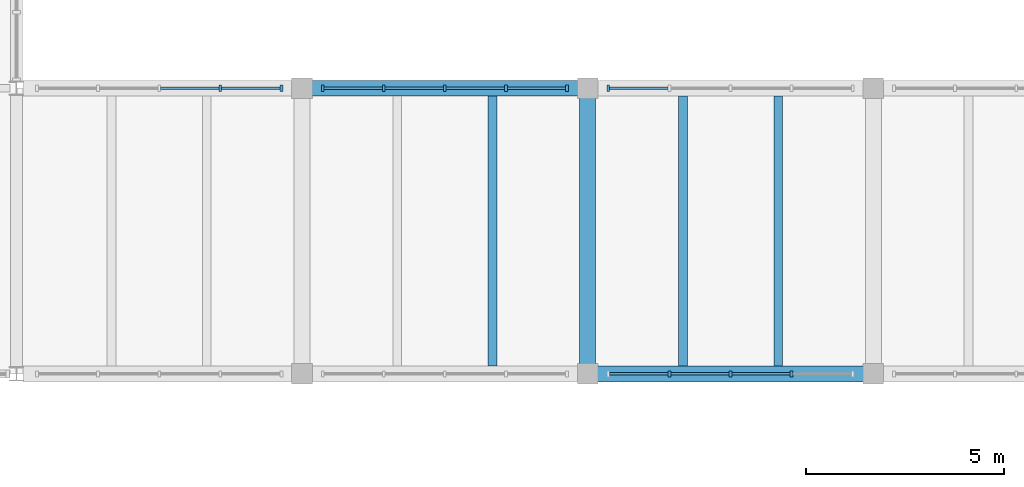
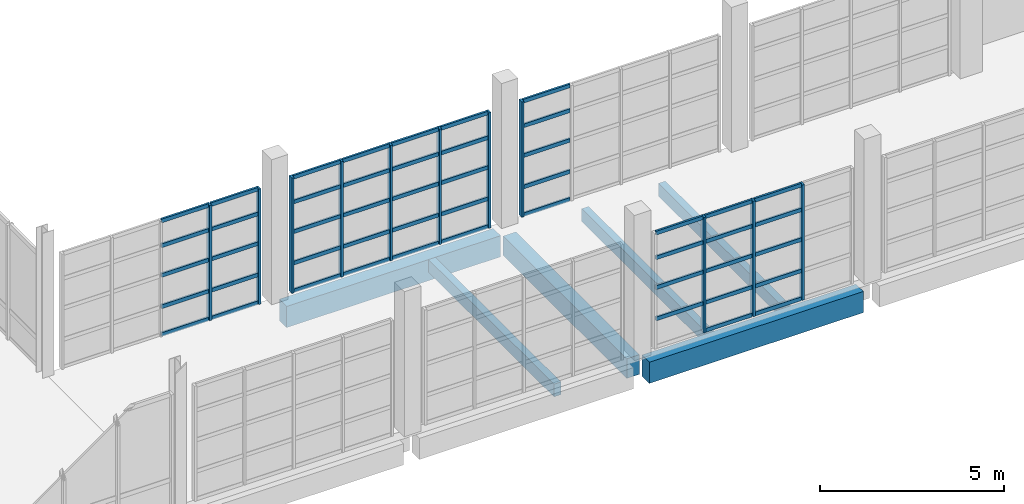
# One storey, part 30 of 77: 60 members, 6 beams, 4 elements without a shape of their own.
"""IFC4 building model written with IfcOpenShell, lengths in metres."""

import ifcopenshell
import ifcopenshell.guid

model = None  # the IFC model being written
_history = None  # IfcOwnerHistory: only IFC2X3 demands one
_inside = {}  # id of a spatial element -> (the spatial element, [elements in it])
_under = {}  # id of a project, library or spatial element -> (it, [spatial elements below it])
_declared = {}  # id of a project -> (the project, [libraries it declares])
_typed = {}  # id of a type object -> (the type object, [elements of that type])
_made_of = {}  # id of a material, layer set ... -> (it, [elements and type objects made of it])


def new_model(schema):
    """Start an empty IFC model of exactly this schema.

    Asked for "IFC4X3", IfcOpenShell would pick the latest addendum, in which some entities
    have other attributes; the version numbers below select the first issue.
    IFC2X3 requires an IfcOwnerHistory on every rooted entity: one is made here for all.
    """
    global model, _history
    if schema == "IFC4X3":
        model = ifcopenshell.file(schema_version=(4, 3, 0, 0))
    else:
        model = ifcopenshell.file(schema=schema)
    _inside.clear()
    _under.clear()
    _declared.clear()
    _typed.clear()
    _made_of.clear()
    _history = None
    if model.schema == "IFC2X3":
        org = make("IfcOrganization", Name="unknown")
        user = make(
            "IfcPersonAndOrganization",
            ThePerson=make("IfcPerson", FamilyName="unknown"),
            TheOrganization=org,
        )
        app = make(
            "IfcApplication",
            ApplicationDeveloper=org,
            Version="unknown",
            ApplicationFullName="unknown",
            ApplicationIdentifier="unknown",
        )
        _history = make(
            "IfcOwnerHistory",
            OwningUser=user,
            OwningApplication=app,
            ChangeAction="ADDED",
            CreationDate=0,
        )
    return model


def make(cls, **values):
    """One entity of the class cls with the attributes given. An attribute that is None is left unset."""
    return model.create_entity(
        cls, **{name: value for name, value in values.items() if value is not None}
    )


def rooted(cls, **values):
    """An entity with a GlobalId (a new one), such as an element, a storey or a relation."""
    return make(cls, GlobalId=ifcopenshell.guid.new(), OwnerHistory=_history, **values)


def si_unit(unit_type, name, prefix=None):
    """IfcSIUnit, for example si_unit("LENGTHUNIT", "METRE", prefix="MILLI")."""
    return make("IfcSIUnit", UnitType=unit_type, Prefix=prefix, Name=name)


def assignment(units):
    """IfcUnitAssignment: the units of a project."""
    return None if units is None else make("IfcUnitAssignment", Units=units)


def point(xyz):
    """IfcCartesianPoint."""
    return None if xyz is None else make("IfcCartesianPoint", Coordinates=xyz)


def direction(xyz):
    """IfcDirection."""
    return None if xyz is None else make("IfcDirection", DirectionRatios=xyz)


def frame(location, z_axis=None, x_axis=None):
    """IfcAxis2Placement3D, a coordinate frame: its origin and axes. An axis left out is left unset."""
    return make(
        "IfcAxis2Placement3D",
        Location=point(location),
        Axis=direction(z_axis),
        RefDirection=direction(x_axis),
    )


def frame_2d(location, x_axis=None):
    """IfcAxis2Placement2D, a coordinate frame in the plane: its origin and x axis."""
    return make(
        "IfcAxis2Placement2D", Location=point(location), RefDirection=direction(x_axis)
    )


def origin():
    """The frame at (0, 0, 0) with its axes left unset."""
    return frame((0.0, 0.0, 0.0))


def origin_2d():
    """The frame at (0, 0) in the plane with its x axis left unset."""
    return frame_2d((0.0, 0.0))


def place(relative_to, where):
    """IfcLocalPlacement: puts the frame where relative to a parent placement (None: the world)."""
    return make(
        "IfcLocalPlacement", PlacementRelTo=relative_to, RelativePlacement=where
    )


def context(
    kind, dimensions, precision=None, world=None, true_north=None, identifier=None
):
    """IfcGeometricRepresentationContext, for example the 3D "Model" context."""
    return make(
        "IfcGeometricRepresentationContext",
        ContextIdentifier=identifier,
        ContextType=kind,
        CoordinateSpaceDimension=dimensions,
        Precision=precision,
        WorldCoordinateSystem=world,
        TrueNorth=true_north,
    )


def subcontext(parent, identifier, kind, view, scale=None):
    """IfcGeometricRepresentationSubContext, for example "Body" below "Model"."""
    return make(
        "IfcGeometricRepresentationSubContext",
        ContextIdentifier=identifier,
        ContextType=kind,
        ParentContext=parent,
        TargetScale=scale,
        TargetView=view,
    )


def project(units=None, contexts=None):
    """IfcProject with its units and contexts."""
    return rooted(
        "IfcProject",
        Name="project",
        RepresentationContexts=contexts,
        UnitsInContext=assignment(units),
    )


def spatial(cls, under=None, at=None, **own):
    """A site, building, storey or space (cls), placed at a placement, below another one or the project."""
    s = rooted(cls, ObjectPlacement=at, **own)
    if under is not None:
        _under.setdefault(under.id(), (under, []))[1].append(s)
    return s


def profile(cls, at=None, kind="AREA", **sizes):
    """A parametric profile (cls). Its sizes go by their IFC names, for example OverallWidth=200.0."""
    return make(cls, ProfileType=kind, Position=at, **sizes)


def rectangle(**sizes):
    """IfcRectangleProfileDef."""
    return profile("IfcRectangleProfileDef", **sizes)


def extrude(swept, where, along, depth):
    """IfcExtrudedAreaSolid: the profile swept, set in the frame where, extruded along a direction by depth."""
    return make(
        "IfcExtrudedAreaSolid",
        SweptArea=swept,
        Position=where,
        ExtrudedDirection=direction(along),
        Depth=depth,
    )


def shape(context_of_items, identifier, shape_type, items):
    """IfcShapeRepresentation: the items that make up one representation, for example the "Body"."""
    return make(
        "IfcShapeRepresentation",
        ContextOfItems=context_of_items,
        RepresentationIdentifier=identifier,
        RepresentationType=shape_type,
        Items=items,
    )


def material(Name=None, Category=None):
    """IfcMaterial."""
    return make("IfcMaterial", Name=Name, Category=Category)


def material_profile(
    of_material, cross_section, Name=None, Category=None, Priority=None
):
    """IfcMaterialProfile: a cross section and its material."""
    return make(
        "IfcMaterialProfile",
        Name=Name,
        Material=of_material,
        Profile=cross_section,
        Priority=Priority,
        Category=Category,
    )


def profile_set(profiles, Name=None, composite=None):
    """IfcMaterialProfileSet."""
    return make(
        "IfcMaterialProfileSet",
        Name=Name,
        MaterialProfiles=profiles,
        CompositeProfile=composite,
    )


def made_of(thing, what):
    """Note that an element or type object is made of a material, layer set ...; save() writes the relation."""
    if what is not None:
        _made_of.setdefault(what.id(), (what, []))[1].append(thing)
    return thing


def type_object(cls, material=None, **own):
    """A type object (cls), such as IfcWallType, which elements share."""
    return made_of(rooted(cls, **own), material)


def element(
    cls,
    number,
    at=None,
    inside=None,
    cuts=None,
    type_object=None,
    material=None,
    context=None,
    identifier="Body",
    shape_type=None,
    held_by="IfcProductDefinitionShape",
    body=None,
    shapes=None,
    **own,
):
    """One element of the class cls, such as IfcWall. Its Tag is "e" and its number.

    at: its placement. inside: the storey or other place that contains it. cuts: it is an
    opening in that element (IfcRelVoidsElement). A single representation is given by context,
    identifier, shape_type and body (its items); several are given by shapes. held_by: the class
    of the entity that holds the representations. save() writes the other relations.
    """
    e = rooted(cls, Tag="e%d" % number, ObjectPlacement=at, **own)
    if body is not None:
        shapes = [shape(context, identifier, shape_type, body)]
    if shapes is not None:
        e.Representation = make(held_by, Representations=shapes)
    if inside is not None:
        _inside.setdefault(inside.id(), (inside, []))[1].append(e)
    if cuts is not None:
        rooted(
            "IfcRelVoidsElement", RelatingBuildingElement=cuts, RelatedOpeningElement=e
        )
    if type_object is not None:
        _typed.setdefault(type_object.id(), (type_object, []))[1].append(e)
    return made_of(e, material)


def aggregate(whole, parts):
    """IfcRelAggregates: a whole, such as a stair, and the parts it consists of."""
    return rooted("IfcRelAggregates", RelatingObject=whole, RelatedObjects=parts)


def save(model, path):
    """Write the relations noted so far, then the file.

    IfcRelAggregates (storeys below a building ...), IfcRelContainedInSpatialStructure (elements
    in a storey), IfcRelDefinesByType, IfcRelAssociatesMaterial and IfcRelDeclares: one each for
    every whole, place, type object, material and project.
    """
    for whole, parts in _under.values():
        aggregate(whole, parts)
    for where, things in _inside.values():
        rooted(
            "IfcRelContainedInSpatialStructure",
            RelatedElements=things,
            RelatingStructure=where,
        )
    for kind, things in _typed.values():
        rooted("IfcRelDefinesByType", RelatedObjects=things, RelatingType=kind)
    for what, things in _made_of.values():
        rooted("IfcRelAssociatesMaterial", RelatedObjects=things, RelatingMaterial=what)
    for by, libraries in _declared.values():
        rooted("IfcRelDeclares", RelatingContext=by, RelatedDefinitions=libraries)
    model.write(path)


model = new_model("IFC4")

# Units and contexts
model_context = context("Model", 3, precision=1e-05, world=origin(), true_north=direction((0.0, 1.0)))
body_context = subcontext(model_context, "Body", "Model", "MODEL_VIEW")
ifc_project = project(units=[si_unit("LENGTHUNIT", "METRE"), si_unit("AREAUNIT", "SQUARE_METRE"), si_unit("VOLUMEUNIT", "CUBIC_METRE"), si_unit("PLANEANGLEUNIT", "RADIAN"), si_unit("MASSUNIT", "GRAM", prefix="KILO")], contexts=[model_context])

# Site, building, storey
site_placement = place(None, origin())
site = spatial("IfcSite", under=ifc_project, at=site_placement, CompositionType="ELEMENT")
building_placement = place(site_placement, origin())
building = spatial("IfcBuilding", under=site, at=building_placement, Name="Qiaolan Assembly House", CompositionType="ELEMENT")
storey_placement = place(building_placement, frame((0.0, 0.0, 5.39990234375)))
storey = spatial("IfcBuildingStorey", under=building, at=storey_placement, Name="L01", CompositionType="ELEMENT", Elevation=5.39990234375)

# Beams
ifc_material_1 = material(Name="Concrete C40/50", Category="concrete")
ifc_material_profile_1 = material_profile(ifc_material_1, rectangle(XDim=0.39990234375, YDim=0.64990234375, at=origin_2d()), Name="RCB 400x650")
ifc_profile_set_1 = profile_set([ifc_material_profile_1], Name="Concrete C40/50")
beam_type_1 = type_object("IfcBeamType", Name="BM-RC-400x650", PredefinedType="BEAM", material=ifc_profile_set_1)
beam_1_placement = place(storey_placement, frame((122.39990234375, 36.25, -0.594970703125), z_axis=(0.0, 1.0, 0.0), x_axis=(-1.0, 0.0, 0.0)))
element("IfcBeam", 1, at=beam_1_placement, inside=storey, type_object=beam_type_1, Name="GB-06 beam BMY-CLS-L01-02-00", PredefinedType="BEAM", context=body_context, shape_type="SweptSolid", body=[
    extrude(rectangle(XDim=0.39990234375, YDim=0.64990234375, at=origin_2d()), origin(), (0.0, 0.0, 1.0), 6.699951171875),
])
ifc_material_profile_2 = material_profile(ifc_material_1, rectangle(XDim=0.39990234375, YDim=0.699951171875, at=origin_2d()), Name="RCB 400x700")
ifc_profile_set_2 = profile_set([ifc_material_profile_2], Name="Concrete C40/50")
beam_type_2 = type_object("IfcBeamType", Name="BM-RC-400x700", PredefinedType="BEAM", material=ifc_profile_set_2)
beam_2_placement = place(storey_placement, frame((122.64990234375, 36.0, -0.619873046875), z_axis=(1.0, 0.0, 0.0), x_axis=(0.0, 1.0, 0.0)))
element("IfcBeam", 2, at=beam_2_placement, inside=storey, type_object=beam_type_2, Name="GB-05 beam BMX-CLS-L01-02-00", PredefinedType="BEAM", context=body_context, shape_type="SweptSolid", body=[
    extrude(rectangle(XDim=0.39990234375, YDim=0.699951171875, at=origin_2d()), origin(), (0.0, 0.0, 1.0), 6.7001953125),
])
beam_3_placement = place(storey_placement, frame((115.449951171875, 43.199951171875, -0.619873046875), z_axis=(1.0, 0.0, 0.0), x_axis=(0.0, 1.0, 0.0)))
element("IfcBeam", 3, at=beam_3_placement, inside=storey, type_object=beam_type_2, Name="GB-05 beam BMX-CLS-L01-01-01", PredefinedType="BEAM", context=body_context, shape_type="SweptSolid", body=[
    extrude(rectangle(XDim=0.39990234375, YDim=0.699951171875, at=origin_2d()), origin(), (0.0, 0.0, 1.0), 6.699951171875),
])

# Curtain wall, members
ifc_material_2 = material(Name="Anodised bronze aluminium", Category="aluminium")
curtain_wall_type = type_object("IfcCurtainWallType", Name="CW-CLOISTER-420", PredefinedType="NOTDEFINED", material=ifc_material_2)
curtain_wall_1_placement = place(storey_placement, origin())
curtain_wall_1 = element("IfcCurtainWall", 4, at=curtain_wall_1_placement, inside=storey, type_object=curtain_wall_type, Name="CW-05 South Cloister court arcade L01-1", PredefinedType="NOTDEFINED")
ifc_material_profile_3 = material_profile(ifc_material_2, rectangle(XDim=0.070068359375, YDim=0.155029296875, at=origin_2d()), Name="MUL 70x155")
ifc_profile_set_3 = profile_set([ifc_material_profile_3], Name="Anodised bronze aluminium")
member_type_1 = type_object("IfcMemberType", Name="CW-CLOISTER-420-MUL", PredefinedType="MULLION", material=ifc_profile_set_3)
member_1_placement = place(storey_placement, frame((114.679931640625, 43.199951171875, 0.0), z_axis=(0.0, 0.0, 1.0), x_axis=(-1.0, 0.0, 0.0)))
member_1 = element("IfcMember", 5, at=member_1_placement, type_object=member_type_1, Name="ML-06 mullion CW-CLS-CRT-L01-0-1", PredefinedType="MULLION", context=body_context, shape_type="SweptSolid", body=[
    extrude(rectangle(XDim=0.070068359375, YDim=0.155029296875, at=origin_2d()), origin(), (0.0, 0.0, 1.0), 3.820068359375),
])
member_2_placement = place(storey_placement, frame((113.139892578125, 43.199951171875, 0.0), z_axis=(0.0, 0.0, 1.0), x_axis=(-1.0, 0.0, 0.0)))
member_2 = element("IfcMember", 6, at=member_2_placement, type_object=member_type_1, Name="ML-06 mullion CW-CLS-CRT-L01-0-2", PredefinedType="MULLION", context=body_context, shape_type="SweptSolid", body=[
    extrude(rectangle(XDim=0.070068359375, YDim=0.155029296875, at=origin_2d()), origin(), (0.0, 0.0, 1.0), 3.820068359375),
])

curtain_wall_2_placement = place(storey_placement, origin())
curtain_wall_2 = element("IfcCurtainWall", 7, at=curtain_wall_2_placement, inside=storey, type_object=curtain_wall_type, Name="CW-05 South Cloister court arcade L01-2", PredefinedType="NOTDEFINED")
member_3_placement = place(storey_placement, frame((121.8798828125, 43.199951171875, 0.0), z_axis=(0.0, 0.0, 1.0), x_axis=(-1.0, 0.0, 0.0)))
member_3 = element("IfcMember", 8, at=member_3_placement, type_object=member_type_1, Name="ML-06 mullion CW-CLS-CRT-L01-1-1", PredefinedType="MULLION", context=body_context, shape_type="SweptSolid", body=[
    extrude(rectangle(XDim=0.070068359375, YDim=0.155029296875, at=origin_2d()), origin(), (0.0, 0.0, 1.0), 3.820068359375),
])
member_4_placement = place(storey_placement, frame((120.340087890625, 43.199951171875, 0.0), z_axis=(0.0, 0.0, 1.0), x_axis=(-1.0, 0.0, 0.0)))
member_4 = element("IfcMember", 9, at=member_4_placement, type_object=member_type_1, Name="ML-06 mullion CW-CLS-CRT-L01-1-2", PredefinedType="MULLION", context=body_context, shape_type="SweptSolid", body=[
    extrude(rectangle(XDim=0.070068359375, YDim=0.155029296875, at=origin_2d()), origin(), (0.0, 0.0, 1.0), 3.820068359375),
])
member_5_placement = place(storey_placement, frame((118.800048828125, 43.199951171875, 0.0), z_axis=(0.0, 0.0, 1.0), x_axis=(-1.0, 0.0, 0.0)))
member_5 = element("IfcMember", 10, at=member_5_placement, type_object=member_type_1, Name="ML-06 mullion CW-CLS-CRT-L01-1-3", PredefinedType="MULLION", context=body_context, shape_type="SweptSolid", body=[
    extrude(rectangle(XDim=0.070068359375, YDim=0.155029296875, at=origin_2d()), origin(), (0.0, 0.0, 1.0), 3.820068359375),
])
member_6_placement = place(storey_placement, frame((117.260009765625, 43.199951171875, 0.0), z_axis=(0.0, 0.0, 1.0), x_axis=(-1.0, 0.0, 0.0)))
member_6 = element("IfcMember", 11, at=member_6_placement, type_object=member_type_1, Name="ML-06 mullion CW-CLS-CRT-L01-1-4", PredefinedType="MULLION", context=body_context, shape_type="SweptSolid", body=[
    extrude(rectangle(XDim=0.070068359375, YDim=0.155029296875, at=origin_2d()), origin(), (0.0, 0.0, 1.0), 3.820068359375),
])
member_7_placement = place(storey_placement, frame((115.719970703125, 43.199951171875, 0.0), z_axis=(0.0, 0.0, 1.0), x_axis=(-1.0, 0.0, 0.0)))
member_7 = element("IfcMember", 12, at=member_7_placement, type_object=member_type_1, Name="ML-06 mullion CW-CLS-CRT-L01-1-5", PredefinedType="MULLION", context=body_context, shape_type="SweptSolid", body=[
    extrude(rectangle(XDim=0.070068359375, YDim=0.155029296875, at=origin_2d()), origin(), (0.0, 0.0, 1.0), 3.820068359375),
])

curtain_wall_3_placement = place(storey_placement, origin())
curtain_wall_3 = element("IfcCurtainWall", 13, at=curtain_wall_3_placement, inside=storey, type_object=curtain_wall_type, Name="CW-05 South Cloister outer arcade L01-3", PredefinedType="NOTDEFINED")
member_8_placement = place(storey_placement, frame((124.4599609375, 36.0, 0.0), z_axis=(0.0, 0.0, 1.0), x_axis=(1.0, 0.0, 0.0)))
member_8 = element("IfcMember", 14, at=member_8_placement, type_object=member_type_1, Name="ML-06 mullion CW-CLS-OUT-L01-2-2", PredefinedType="MULLION", context=body_context, shape_type="SweptSolid", body=[
    extrude(rectangle(XDim=0.070068359375, YDim=0.155029296875, at=origin_2d()), origin(), (0.0, 0.0, 1.0), 3.820068359375),
])
member_9_placement = place(storey_placement, frame((126.0, 36.0, 0.0), z_axis=(0.0, 0.0, 1.0), x_axis=(1.0, 0.0, 0.0)))
member_9 = element("IfcMember", 15, at=member_9_placement, type_object=member_type_1, Name="ML-06 mullion CW-CLS-OUT-L01-2-3", PredefinedType="MULLION", context=body_context, shape_type="SweptSolid", body=[
    extrude(rectangle(XDim=0.070068359375, YDim=0.155029296875, at=origin_2d()), origin(), (0.0, 0.0, 1.0), 3.820068359375),
])
member_10_placement = place(storey_placement, frame((127.5400390625, 36.0, 0.0), z_axis=(0.0, 0.0, 1.0), x_axis=(1.0, 0.0, 0.0)))
member_10 = element("IfcMember", 16, at=member_10_placement, type_object=member_type_1, Name="ML-06 mullion CW-CLS-OUT-L01-2-4", PredefinedType="MULLION", context=body_context, shape_type="SweptSolid", body=[
    extrude(rectangle(XDim=0.070068359375, YDim=0.155029296875, at=origin_2d()), origin(), (0.0, 0.0, 1.0), 3.820068359375),
])

# Curtain wall, member
curtain_wall_4_placement = place(storey_placement, origin())
curtain_wall_4 = element("IfcCurtainWall", 17, at=curtain_wall_4_placement, inside=storey, type_object=curtain_wall_type, Name="CW-05 South Cloister court arcade L01-3", PredefinedType="NOTDEFINED")
member_11_placement = place(storey_placement, frame((122.919921875, 43.199951171875, 0.0), z_axis=(0.0, 0.0, 1.0), x_axis=(-1.0, 0.0, 0.0)))
member_11 = element("IfcMember", 18, at=member_11_placement, type_object=member_type_1, Name="ML-06 mullion CW-CLS-CRT-L01-2-5", PredefinedType="MULLION", context=body_context, shape_type="SweptSolid", body=[
    extrude(rectangle(XDim=0.070068359375, YDim=0.155029296875, at=origin_2d()), origin(), (0.0, 0.0, 1.0), 3.820068359375),
])

# Member
ifc_material_profile_4 = material_profile(ifc_material_2, rectangle(XDim=0.06201171875, YDim=0.125, at=origin_2d()), Name="TRN 62x125")
ifc_profile_set_4 = profile_set([ifc_material_profile_4], Name="Anodised bronze aluminium")
member_type_2 = type_object("IfcMemberType", Name="CW-CLOISTER-420-TRN", PredefinedType="USERDEFINED", material=ifc_profile_set_4)
member_12_placement = place(storey_placement, frame((114.64501953125, 43.199951171875, 0.030029296875), z_axis=(-1.0, 0.0, 0.0), x_axis=(0.0, -1.0, 0.0)))
member_12 = element("IfcMember", 19, at=member_12_placement, type_object=member_type_2, Name="TR-06 transom CW-CLS-CRT-L01-0-1-1", ObjectType="TRANSOM", PredefinedType="USERDEFINED", context=body_context, shape_type="SweptSolid", body=[
    extrude(rectangle(XDim=0.06201171875, YDim=0.125, at=origin_2d()), origin(), (0.0, 0.0, 1.0), 1.469970703125),
])

member_13_placement = place(storey_placement, frame((114.64501953125, 43.199951171875, 0.9501953125), z_axis=(-1.0, 0.0, 0.0), x_axis=(0.0, -1.0, 0.0)))
member_13 = element("IfcMember", 20, at=member_13_placement, type_object=member_type_2, Name="TR-06 transom CW-CLS-CRT-L01-0-1-2", ObjectType="TRANSOM", PredefinedType="USERDEFINED", context=body_context, shape_type="SweptSolid", body=[
    extrude(rectangle(XDim=0.06201171875, YDim=0.125, at=origin_2d()), origin(), (0.0, 0.0, 1.0), 1.469970703125),
])

member_14_placement = place(storey_placement, frame((114.64501953125, 43.199951171875, 1.986572265625), z_axis=(-1.0, 0.0, 0.0), x_axis=(0.0, -1.0, 0.0)))
member_14 = element("IfcMember", 21, at=member_14_placement, type_object=member_type_2, Name="TR-06 transom CW-CLS-CRT-L01-0-1-3", ObjectType="TRANSOM", PredefinedType="USERDEFINED", context=body_context, shape_type="SweptSolid", body=[
    extrude(rectangle(XDim=0.06201171875, YDim=0.125, at=origin_2d()), origin(), (0.0, 0.0, 1.0), 1.469970703125),
])

member_15_placement = place(storey_placement, frame((114.64501953125, 43.199951171875, 2.97021484375), z_axis=(-1.0, 0.0, 0.0), x_axis=(0.0, -1.0, 0.0)))
member_15 = element("IfcMember", 22, at=member_15_placement, type_object=member_type_2, Name="TR-06 transom CW-CLS-CRT-L01-0-1-4", ObjectType="TRANSOM", PredefinedType="USERDEFINED", context=body_context, shape_type="SweptSolid", body=[
    extrude(rectangle(XDim=0.06201171875, YDim=0.125, at=origin_2d()), origin(), (0.0, 0.0, 1.0), 1.469970703125),
])

member_16_placement = place(storey_placement, frame((114.64501953125, 43.199951171875, 3.7900390625), z_axis=(-1.0, 0.0, 0.0), x_axis=(0.0, -1.0, 0.0)))
member_16 = element("IfcMember", 23, at=member_16_placement, type_object=member_type_2, Name="TR-06 transom CW-CLS-CRT-L01-0-1-5", ObjectType="TRANSOM", PredefinedType="USERDEFINED", context=body_context, shape_type="SweptSolid", body=[
    extrude(rectangle(XDim=0.06201171875, YDim=0.125, at=origin_2d()), origin(), (0.0, 0.0, 1.0), 1.469970703125),
])

member_17_placement = place(storey_placement, frame((113.10498046875, 43.199951171875, 0.030029296875), z_axis=(-1.0, 0.0, 0.0), x_axis=(0.0, -1.0, 0.0)))
member_17 = element("IfcMember", 24, at=member_17_placement, type_object=member_type_2, Name="TR-06 transom CW-CLS-CRT-L01-0-2-1", ObjectType="TRANSOM", PredefinedType="USERDEFINED", context=body_context, shape_type="SweptSolid", body=[
    extrude(rectangle(XDim=0.06201171875, YDim=0.125, at=origin_2d()), origin(), (0.0, 0.0, 1.0), 1.469970703125),
])

member_18_placement = place(storey_placement, frame((113.10498046875, 43.199951171875, 0.9501953125), z_axis=(-1.0, 0.0, 0.0), x_axis=(0.0, -1.0, 0.0)))
member_18 = element("IfcMember", 25, at=member_18_placement, type_object=member_type_2, Name="TR-06 transom CW-CLS-CRT-L01-0-2-2", ObjectType="TRANSOM", PredefinedType="USERDEFINED", context=body_context, shape_type="SweptSolid", body=[
    extrude(rectangle(XDim=0.06201171875, YDim=0.125, at=origin_2d()), origin(), (0.0, 0.0, 1.0), 1.469970703125),
])

member_19_placement = place(storey_placement, frame((113.10498046875, 43.199951171875, 1.986572265625), z_axis=(-1.0, 0.0, 0.0), x_axis=(0.0, -1.0, 0.0)))
member_19 = element("IfcMember", 26, at=member_19_placement, type_object=member_type_2, Name="TR-06 transom CW-CLS-CRT-L01-0-2-3", ObjectType="TRANSOM", PredefinedType="USERDEFINED", context=body_context, shape_type="SweptSolid", body=[
    extrude(rectangle(XDim=0.06201171875, YDim=0.125, at=origin_2d()), origin(), (0.0, 0.0, 1.0), 1.469970703125),
])

member_20_placement = place(storey_placement, frame((113.10498046875, 43.199951171875, 2.97021484375), z_axis=(-1.0, 0.0, 0.0), x_axis=(0.0, -1.0, 0.0)))
member_20 = element("IfcMember", 27, at=member_20_placement, type_object=member_type_2, Name="TR-06 transom CW-CLS-CRT-L01-0-2-4", ObjectType="TRANSOM", PredefinedType="USERDEFINED", context=body_context, shape_type="SweptSolid", body=[
    extrude(rectangle(XDim=0.06201171875, YDim=0.125, at=origin_2d()), origin(), (0.0, 0.0, 1.0), 1.469970703125),
])

member_21_placement = place(storey_placement, frame((113.10498046875, 43.199951171875, 3.7900390625), z_axis=(-1.0, 0.0, 0.0), x_axis=(0.0, -1.0, 0.0)))
member_21 = element("IfcMember", 28, at=member_21_placement, type_object=member_type_2, Name="TR-06 transom CW-CLS-CRT-L01-0-2-5", ObjectType="TRANSOM", PredefinedType="USERDEFINED", context=body_context, shape_type="SweptSolid", body=[
    extrude(rectangle(XDim=0.06201171875, YDim=0.125, at=origin_2d()), origin(), (0.0, 0.0, 1.0), 1.469970703125),
])

aggregate(curtain_wall_1, [member_1, member_2, member_12, member_13, member_14, member_15, member_16, member_17, member_18, member_19, member_20, member_21])

member_22_placement = place(storey_placement, frame((121.844970703125, 43.199951171875, 0.030029296875), z_axis=(-1.0, 0.0, 0.0), x_axis=(0.0, -1.0, 0.0)))
member_22 = element("IfcMember", 29, at=member_22_placement, type_object=member_type_2, Name="TR-06 transom CW-CLS-CRT-L01-1-1-1", ObjectType="TRANSOM", PredefinedType="USERDEFINED", context=body_context, shape_type="SweptSolid", body=[
    extrude(rectangle(XDim=0.06201171875, YDim=0.125, at=origin_2d()), origin(), (0.0, 0.0, 1.0), 1.469970703125),
])

member_23_placement = place(storey_placement, frame((121.844970703125, 43.199951171875, 0.9501953125), z_axis=(-1.0, 0.0, 0.0), x_axis=(0.0, -1.0, 0.0)))
member_23 = element("IfcMember", 30, at=member_23_placement, type_object=member_type_2, Name="TR-06 transom CW-CLS-CRT-L01-1-1-2", ObjectType="TRANSOM", PredefinedType="USERDEFINED", context=body_context, shape_type="SweptSolid", body=[
    extrude(rectangle(XDim=0.06201171875, YDim=0.125, at=origin_2d()), origin(), (0.0, 0.0, 1.0), 1.469970703125),
])

member_24_placement = place(storey_placement, frame((121.844970703125, 43.199951171875, 1.986572265625), z_axis=(-1.0, 0.0, 0.0), x_axis=(0.0, -1.0, 0.0)))
member_24 = element("IfcMember", 31, at=member_24_placement, type_object=member_type_2, Name="TR-06 transom CW-CLS-CRT-L01-1-1-3", ObjectType="TRANSOM", PredefinedType="USERDEFINED", context=body_context, shape_type="SweptSolid", body=[
    extrude(rectangle(XDim=0.06201171875, YDim=0.125, at=origin_2d()), origin(), (0.0, 0.0, 1.0), 1.469970703125),
])

member_25_placement = place(storey_placement, frame((121.844970703125, 43.199951171875, 2.97021484375), z_axis=(-1.0, 0.0, 0.0), x_axis=(0.0, -1.0, 0.0)))
member_25 = element("IfcMember", 32, at=member_25_placement, type_object=member_type_2, Name="TR-06 transom CW-CLS-CRT-L01-1-1-4", ObjectType="TRANSOM", PredefinedType="USERDEFINED", context=body_context, shape_type="SweptSolid", body=[
    extrude(rectangle(XDim=0.06201171875, YDim=0.125, at=origin_2d()), origin(), (0.0, 0.0, 1.0), 1.469970703125),
])

member_26_placement = place(storey_placement, frame((121.844970703125, 43.199951171875, 3.7900390625), z_axis=(-1.0, 0.0, 0.0), x_axis=(0.0, -1.0, 0.0)))
member_26 = element("IfcMember", 33, at=member_26_placement, type_object=member_type_2, Name="TR-06 transom CW-CLS-CRT-L01-1-1-5", ObjectType="TRANSOM", PredefinedType="USERDEFINED", context=body_context, shape_type="SweptSolid", body=[
    extrude(rectangle(XDim=0.06201171875, YDim=0.125, at=origin_2d()), origin(), (0.0, 0.0, 1.0), 1.469970703125),
])

member_27_placement = place(storey_placement, frame((120.304931640625, 43.199951171875, 0.030029296875), z_axis=(-1.0, 0.0, 0.0), x_axis=(0.0, -1.0, 0.0)))
member_27 = element("IfcMember", 34, at=member_27_placement, type_object=member_type_2, Name="TR-06 transom CW-CLS-CRT-L01-1-2-1", ObjectType="TRANSOM", PredefinedType="USERDEFINED", context=body_context, shape_type="SweptSolid", body=[
    extrude(rectangle(XDim=0.06201171875, YDim=0.125, at=origin_2d()), origin(), (0.0, 0.0, 1.0), 1.469970703125),
])

member_28_placement = place(storey_placement, frame((120.304931640625, 43.199951171875, 0.9501953125), z_axis=(-1.0, 0.0, 0.0), x_axis=(0.0, -1.0, 0.0)))
member_28 = element("IfcMember", 35, at=member_28_placement, type_object=member_type_2, Name="TR-06 transom CW-CLS-CRT-L01-1-2-2", ObjectType="TRANSOM", PredefinedType="USERDEFINED", context=body_context, shape_type="SweptSolid", body=[
    extrude(rectangle(XDim=0.06201171875, YDim=0.125, at=origin_2d()), origin(), (0.0, 0.0, 1.0), 1.469970703125),
])

member_29_placement = place(storey_placement, frame((120.304931640625, 43.199951171875, 1.986572265625), z_axis=(-1.0, 0.0, 0.0), x_axis=(0.0, -1.0, 0.0)))
member_29 = element("IfcMember", 36, at=member_29_placement, type_object=member_type_2, Name="TR-06 transom CW-CLS-CRT-L01-1-2-3", ObjectType="TRANSOM", PredefinedType="USERDEFINED", context=body_context, shape_type="SweptSolid", body=[
    extrude(rectangle(XDim=0.06201171875, YDim=0.125, at=origin_2d()), origin(), (0.0, 0.0, 1.0), 1.469970703125),
])

member_30_placement = place(storey_placement, frame((120.304931640625, 43.199951171875, 2.97021484375), z_axis=(-1.0, 0.0, 0.0), x_axis=(0.0, -1.0, 0.0)))
member_30 = element("IfcMember", 37, at=member_30_placement, type_object=member_type_2, Name="TR-06 transom CW-CLS-CRT-L01-1-2-4", ObjectType="TRANSOM", PredefinedType="USERDEFINED", context=body_context, shape_type="SweptSolid", body=[
    extrude(rectangle(XDim=0.06201171875, YDim=0.125, at=origin_2d()), origin(), (0.0, 0.0, 1.0), 1.469970703125),
])

member_31_placement = place(storey_placement, frame((120.304931640625, 43.199951171875, 3.7900390625), z_axis=(-1.0, 0.0, 0.0), x_axis=(0.0, -1.0, 0.0)))
member_31 = element("IfcMember", 38, at=member_31_placement, type_object=member_type_2, Name="TR-06 transom CW-CLS-CRT-L01-1-2-5", ObjectType="TRANSOM", PredefinedType="USERDEFINED", context=body_context, shape_type="SweptSolid", body=[
    extrude(rectangle(XDim=0.06201171875, YDim=0.125, at=origin_2d()), origin(), (0.0, 0.0, 1.0), 1.469970703125),
])

member_32_placement = place(storey_placement, frame((118.764892578125, 43.199951171875, 0.030029296875), z_axis=(-1.0, 0.0, 0.0), x_axis=(0.0, -1.0, 0.0)))
member_32 = element("IfcMember", 39, at=member_32_placement, type_object=member_type_2, Name="TR-06 transom CW-CLS-CRT-L01-1-3-1", ObjectType="TRANSOM", PredefinedType="USERDEFINED", context=body_context, shape_type="SweptSolid", body=[
    extrude(rectangle(XDim=0.06201171875, YDim=0.125, at=origin_2d()), origin(), (0.0, 0.0, 1.0), 1.469970703125),
])

member_33_placement = place(storey_placement, frame((118.764892578125, 43.199951171875, 0.9501953125), z_axis=(-1.0, 0.0, 0.0), x_axis=(0.0, -1.0, 0.0)))
member_33 = element("IfcMember", 40, at=member_33_placement, type_object=member_type_2, Name="TR-06 transom CW-CLS-CRT-L01-1-3-2", ObjectType="TRANSOM", PredefinedType="USERDEFINED", context=body_context, shape_type="SweptSolid", body=[
    extrude(rectangle(XDim=0.06201171875, YDim=0.125, at=origin_2d()), origin(), (0.0, 0.0, 1.0), 1.469970703125),
])

member_34_placement = place(storey_placement, frame((118.764892578125, 43.199951171875, 1.986572265625), z_axis=(-1.0, 0.0, 0.0), x_axis=(0.0, -1.0, 0.0)))
member_34 = element("IfcMember", 41, at=member_34_placement, type_object=member_type_2, Name="TR-06 transom CW-CLS-CRT-L01-1-3-3", ObjectType="TRANSOM", PredefinedType="USERDEFINED", context=body_context, shape_type="SweptSolid", body=[
    extrude(rectangle(XDim=0.06201171875, YDim=0.125, at=origin_2d()), origin(), (0.0, 0.0, 1.0), 1.469970703125),
])

member_35_placement = place(storey_placement, frame((118.764892578125, 43.199951171875, 2.97021484375), z_axis=(-1.0, 0.0, 0.0), x_axis=(0.0, -1.0, 0.0)))
member_35 = element("IfcMember", 42, at=member_35_placement, type_object=member_type_2, Name="TR-06 transom CW-CLS-CRT-L01-1-3-4", ObjectType="TRANSOM", PredefinedType="USERDEFINED", context=body_context, shape_type="SweptSolid", body=[
    extrude(rectangle(XDim=0.06201171875, YDim=0.125, at=origin_2d()), origin(), (0.0, 0.0, 1.0), 1.469970703125),
])

member_36_placement = place(storey_placement, frame((118.764892578125, 43.199951171875, 3.7900390625), z_axis=(-1.0, 0.0, 0.0), x_axis=(0.0, -1.0, 0.0)))
member_36 = element("IfcMember", 43, at=member_36_placement, type_object=member_type_2, Name="TR-06 transom CW-CLS-CRT-L01-1-3-5", ObjectType="TRANSOM", PredefinedType="USERDEFINED", context=body_context, shape_type="SweptSolid", body=[
    extrude(rectangle(XDim=0.06201171875, YDim=0.125, at=origin_2d()), origin(), (0.0, 0.0, 1.0), 1.469970703125),
])

member_37_placement = place(storey_placement, frame((117.22509765625, 43.199951171875, 0.030029296875), z_axis=(-1.0, 0.0, 0.0), x_axis=(0.0, -1.0, 0.0)))
member_37 = element("IfcMember", 44, at=member_37_placement, type_object=member_type_2, Name="TR-06 transom CW-CLS-CRT-L01-1-4-1", ObjectType="TRANSOM", PredefinedType="USERDEFINED", context=body_context, shape_type="SweptSolid", body=[
    extrude(rectangle(XDim=0.06201171875, YDim=0.125, at=origin_2d()), origin(), (0.0, 0.0, 1.0), 1.47021484375),
])

member_38_placement = place(storey_placement, frame((117.22509765625, 43.199951171875, 0.9501953125), z_axis=(-1.0, 0.0, 0.0), x_axis=(0.0, -1.0, 0.0)))
member_38 = element("IfcMember", 45, at=member_38_placement, type_object=member_type_2, Name="TR-06 transom CW-CLS-CRT-L01-1-4-2", ObjectType="TRANSOM", PredefinedType="USERDEFINED", context=body_context, shape_type="SweptSolid", body=[
    extrude(rectangle(XDim=0.06201171875, YDim=0.125, at=origin_2d()), origin(), (0.0, 0.0, 1.0), 1.47021484375),
])

member_39_placement = place(storey_placement, frame((117.22509765625, 43.199951171875, 1.986572265625), z_axis=(-1.0, 0.0, 0.0), x_axis=(0.0, -1.0, 0.0)))
member_39 = element("IfcMember", 46, at=member_39_placement, type_object=member_type_2, Name="TR-06 transom CW-CLS-CRT-L01-1-4-3", ObjectType="TRANSOM", PredefinedType="USERDEFINED", context=body_context, shape_type="SweptSolid", body=[
    extrude(rectangle(XDim=0.06201171875, YDim=0.125, at=origin_2d()), origin(), (0.0, 0.0, 1.0), 1.47021484375),
])

member_40_placement = place(storey_placement, frame((117.22509765625, 43.199951171875, 2.97021484375), z_axis=(-1.0, 0.0, 0.0), x_axis=(0.0, -1.0, 0.0)))
member_40 = element("IfcMember", 47, at=member_40_placement, type_object=member_type_2, Name="TR-06 transom CW-CLS-CRT-L01-1-4-4", ObjectType="TRANSOM", PredefinedType="USERDEFINED", context=body_context, shape_type="SweptSolid", body=[
    extrude(rectangle(XDim=0.06201171875, YDim=0.125, at=origin_2d()), origin(), (0.0, 0.0, 1.0), 1.47021484375),
])

member_41_placement = place(storey_placement, frame((117.22509765625, 43.199951171875, 3.7900390625), z_axis=(-1.0, 0.0, 0.0), x_axis=(0.0, -1.0, 0.0)))
member_41 = element("IfcMember", 48, at=member_41_placement, type_object=member_type_2, Name="TR-06 transom CW-CLS-CRT-L01-1-4-5", ObjectType="TRANSOM", PredefinedType="USERDEFINED", context=body_context, shape_type="SweptSolid", body=[
    extrude(rectangle(XDim=0.06201171875, YDim=0.125, at=origin_2d()), origin(), (0.0, 0.0, 1.0), 1.47021484375),
])

aggregate(curtain_wall_2, [member_3, member_4, member_5, member_6, member_7, member_22, member_23, member_24, member_25, member_26, member_27, member_28, member_29, member_30, member_31, member_32, member_33, member_34, member_35, member_36, member_37, member_38, member_39, member_40, member_41])

member_42_placement = place(storey_placement, frame((122.955078125, 36.0, 0.9501953125), z_axis=(1.0, 0.0, 0.0), x_axis=(0.0, 1.0, 0.0)))
member_42 = element("IfcMember", 49, at=member_42_placement, type_object=member_type_2, Name="TR-06 transom CW-CLS-OUT-L01-2-1-2", ObjectType="TRANSOM", PredefinedType="USERDEFINED", context=body_context, shape_type="SweptSolid", body=[
    extrude(rectangle(XDim=0.06201171875, YDim=0.125, at=origin_2d()), origin(), (0.0, 0.0, 1.0), 1.469970703125),
])

member_43_placement = place(storey_placement, frame((122.955078125, 36.0, 1.986572265625), z_axis=(1.0, 0.0, 0.0), x_axis=(0.0, 1.0, 0.0)))
member_43 = element("IfcMember", 50, at=member_43_placement, type_object=member_type_2, Name="TR-06 transom CW-CLS-OUT-L01-2-1-3", ObjectType="TRANSOM", PredefinedType="USERDEFINED", context=body_context, shape_type="SweptSolid", body=[
    extrude(rectangle(XDim=0.06201171875, YDim=0.125, at=origin_2d()), origin(), (0.0, 0.0, 1.0), 1.469970703125),
])

member_44_placement = place(storey_placement, frame((122.955078125, 36.0, 2.97021484375), z_axis=(1.0, 0.0, 0.0), x_axis=(0.0, 1.0, 0.0)))
member_44 = element("IfcMember", 51, at=member_44_placement, type_object=member_type_2, Name="TR-06 transom CW-CLS-OUT-L01-2-1-4", ObjectType="TRANSOM", PredefinedType="USERDEFINED", context=body_context, shape_type="SweptSolid", body=[
    extrude(rectangle(XDim=0.06201171875, YDim=0.125, at=origin_2d()), origin(), (0.0, 0.0, 1.0), 1.469970703125),
])

member_45_placement = place(storey_placement, frame((122.955078125, 36.0, 3.7900390625), z_axis=(1.0, 0.0, 0.0), x_axis=(0.0, 1.0, 0.0)))
member_45 = element("IfcMember", 52, at=member_45_placement, type_object=member_type_2, Name="TR-06 transom CW-CLS-OUT-L01-2-1-5", ObjectType="TRANSOM", PredefinedType="USERDEFINED", context=body_context, shape_type="SweptSolid", body=[
    extrude(rectangle(XDim=0.06201171875, YDim=0.125, at=origin_2d()), origin(), (0.0, 0.0, 1.0), 1.469970703125),
])

member_46_placement = place(storey_placement, frame((124.4951171875, 36.0, 0.030029296875), z_axis=(1.0, 0.0, 0.0), x_axis=(0.0, 1.0, 0.0)))
member_46 = element("IfcMember", 53, at=member_46_placement, type_object=member_type_2, Name="TR-06 transom CW-CLS-OUT-L01-2-2-1", ObjectType="TRANSOM", PredefinedType="USERDEFINED", context=body_context, shape_type="SweptSolid", body=[
    extrude(rectangle(XDim=0.06201171875, YDim=0.125, at=origin_2d()), origin(), (0.0, 0.0, 1.0), 1.469970703125),
])

member_47_placement = place(storey_placement, frame((124.4951171875, 36.0, 0.9501953125), z_axis=(1.0, 0.0, 0.0), x_axis=(0.0, 1.0, 0.0)))
member_47 = element("IfcMember", 54, at=member_47_placement, type_object=member_type_2, Name="TR-06 transom CW-CLS-OUT-L01-2-2-2", ObjectType="TRANSOM", PredefinedType="USERDEFINED", context=body_context, shape_type="SweptSolid", body=[
    extrude(rectangle(XDim=0.06201171875, YDim=0.125, at=origin_2d()), origin(), (0.0, 0.0, 1.0), 1.469970703125),
])

member_48_placement = place(storey_placement, frame((124.4951171875, 36.0, 1.986572265625), z_axis=(1.0, 0.0, 0.0), x_axis=(0.0, 1.0, 0.0)))
member_48 = element("IfcMember", 55, at=member_48_placement, type_object=member_type_2, Name="TR-06 transom CW-CLS-OUT-L01-2-2-3", ObjectType="TRANSOM", PredefinedType="USERDEFINED", context=body_context, shape_type="SweptSolid", body=[
    extrude(rectangle(XDim=0.06201171875, YDim=0.125, at=origin_2d()), origin(), (0.0, 0.0, 1.0), 1.469970703125),
])

member_49_placement = place(storey_placement, frame((124.4951171875, 36.0, 2.97021484375), z_axis=(1.0, 0.0, 0.0), x_axis=(0.0, 1.0, 0.0)))
member_49 = element("IfcMember", 56, at=member_49_placement, type_object=member_type_2, Name="TR-06 transom CW-CLS-OUT-L01-2-2-4", ObjectType="TRANSOM", PredefinedType="USERDEFINED", context=body_context, shape_type="SweptSolid", body=[
    extrude(rectangle(XDim=0.06201171875, YDim=0.125, at=origin_2d()), origin(), (0.0, 0.0, 1.0), 1.469970703125),
])

member_50_placement = place(storey_placement, frame((124.4951171875, 36.0, 3.7900390625), z_axis=(1.0, 0.0, 0.0), x_axis=(0.0, 1.0, 0.0)))
member_50 = element("IfcMember", 57, at=member_50_placement, type_object=member_type_2, Name="TR-06 transom CW-CLS-OUT-L01-2-2-5", ObjectType="TRANSOM", PredefinedType="USERDEFINED", context=body_context, shape_type="SweptSolid", body=[
    extrude(rectangle(XDim=0.06201171875, YDim=0.125, at=origin_2d()), origin(), (0.0, 0.0, 1.0), 1.469970703125),
])

member_51_placement = place(storey_placement, frame((126.034912109375, 36.0, 0.030029296875), z_axis=(1.0, 0.0, 0.0), x_axis=(0.0, 1.0, 0.0)))
member_51 = element("IfcMember", 58, at=member_51_placement, type_object=member_type_2, Name="TR-06 transom CW-CLS-OUT-L01-2-3-1", ObjectType="TRANSOM", PredefinedType="USERDEFINED", context=body_context, shape_type="SweptSolid", body=[
    extrude(rectangle(XDim=0.06201171875, YDim=0.125, at=origin_2d()), origin(), (0.0, 0.0, 1.0), 1.469970703125),
])

member_52_placement = place(storey_placement, frame((126.034912109375, 36.0, 0.9501953125), z_axis=(1.0, 0.0, 0.0), x_axis=(0.0, 1.0, 0.0)))
member_52 = element("IfcMember", 59, at=member_52_placement, type_object=member_type_2, Name="TR-06 transom CW-CLS-OUT-L01-2-3-2", ObjectType="TRANSOM", PredefinedType="USERDEFINED", context=body_context, shape_type="SweptSolid", body=[
    extrude(rectangle(XDim=0.06201171875, YDim=0.125, at=origin_2d()), origin(), (0.0, 0.0, 1.0), 1.469970703125),
])

member_53_placement = place(storey_placement, frame((126.034912109375, 36.0, 1.986572265625), z_axis=(1.0, 0.0, 0.0), x_axis=(0.0, 1.0, 0.0)))
member_53 = element("IfcMember", 60, at=member_53_placement, type_object=member_type_2, Name="TR-06 transom CW-CLS-OUT-L01-2-3-3", ObjectType="TRANSOM", PredefinedType="USERDEFINED", context=body_context, shape_type="SweptSolid", body=[
    extrude(rectangle(XDim=0.06201171875, YDim=0.125, at=origin_2d()), origin(), (0.0, 0.0, 1.0), 1.469970703125),
])

member_54_placement = place(storey_placement, frame((126.034912109375, 36.0, 2.97021484375), z_axis=(1.0, 0.0, 0.0), x_axis=(0.0, 1.0, 0.0)))
member_54 = element("IfcMember", 61, at=member_54_placement, type_object=member_type_2, Name="TR-06 transom CW-CLS-OUT-L01-2-3-4", ObjectType="TRANSOM", PredefinedType="USERDEFINED", context=body_context, shape_type="SweptSolid", body=[
    extrude(rectangle(XDim=0.06201171875, YDim=0.125, at=origin_2d()), origin(), (0.0, 0.0, 1.0), 1.469970703125),
])

member_55_placement = place(storey_placement, frame((126.034912109375, 36.0, 3.7900390625), z_axis=(1.0, 0.0, 0.0), x_axis=(0.0, 1.0, 0.0)))
member_55 = element("IfcMember", 62, at=member_55_placement, type_object=member_type_2, Name="TR-06 transom CW-CLS-OUT-L01-2-3-5", ObjectType="TRANSOM", PredefinedType="USERDEFINED", context=body_context, shape_type="SweptSolid", body=[
    extrude(rectangle(XDim=0.06201171875, YDim=0.125, at=origin_2d()), origin(), (0.0, 0.0, 1.0), 1.469970703125),
])

aggregate(curtain_wall_3, [member_8, member_9, member_10, member_42, member_43, member_44, member_45, member_46, member_47, member_48, member_49, member_50, member_51, member_52, member_53, member_54, member_55])

member_56_placement = place(storey_placement, frame((124.425048828125, 43.199951171875, 0.030029296875), z_axis=(-1.0, 0.0, 0.0), x_axis=(0.0, -1.0, 0.0)))
member_56 = element("IfcMember", 63, at=member_56_placement, type_object=member_type_2, Name="TR-06 transom CW-CLS-CRT-L01-2-4-1", ObjectType="TRANSOM", PredefinedType="USERDEFINED", context=body_context, shape_type="SweptSolid", body=[
    extrude(rectangle(XDim=0.06201171875, YDim=0.125, at=origin_2d()), origin(), (0.0, 0.0, 1.0), 1.469970703125),
])

member_57_placement = place(storey_placement, frame((124.425048828125, 43.199951171875, 0.9501953125), z_axis=(-1.0, 0.0, 0.0), x_axis=(0.0, -1.0, 0.0)))
member_57 = element("IfcMember", 64, at=member_57_placement, type_object=member_type_2, Name="TR-06 transom CW-CLS-CRT-L01-2-4-2", ObjectType="TRANSOM", PredefinedType="USERDEFINED", context=body_context, shape_type="SweptSolid", body=[
    extrude(rectangle(XDim=0.06201171875, YDim=0.125, at=origin_2d()), origin(), (0.0, 0.0, 1.0), 1.469970703125),
])

member_58_placement = place(storey_placement, frame((124.425048828125, 43.199951171875, 1.986572265625), z_axis=(-1.0, 0.0, 0.0), x_axis=(0.0, -1.0, 0.0)))
member_58 = element("IfcMember", 65, at=member_58_placement, type_object=member_type_2, Name="TR-06 transom CW-CLS-CRT-L01-2-4-3", ObjectType="TRANSOM", PredefinedType="USERDEFINED", context=body_context, shape_type="SweptSolid", body=[
    extrude(rectangle(XDim=0.06201171875, YDim=0.125, at=origin_2d()), origin(), (0.0, 0.0, 1.0), 1.469970703125),
])

member_59_placement = place(storey_placement, frame((124.425048828125, 43.199951171875, 2.97021484375), z_axis=(-1.0, 0.0, 0.0), x_axis=(0.0, -1.0, 0.0)))
member_59 = element("IfcMember", 66, at=member_59_placement, type_object=member_type_2, Name="TR-06 transom CW-CLS-CRT-L01-2-4-4", ObjectType="TRANSOM", PredefinedType="USERDEFINED", context=body_context, shape_type="SweptSolid", body=[
    extrude(rectangle(XDim=0.06201171875, YDim=0.125, at=origin_2d()), origin(), (0.0, 0.0, 1.0), 1.469970703125),
])

member_60_placement = place(storey_placement, frame((124.425048828125, 43.199951171875, 3.7900390625), z_axis=(-1.0, 0.0, 0.0), x_axis=(0.0, -1.0, 0.0)))
member_60 = element("IfcMember", 67, at=member_60_placement, type_object=member_type_2, Name="TR-06 transom CW-CLS-CRT-L01-2-4-5", ObjectType="TRANSOM", PredefinedType="USERDEFINED", context=body_context, shape_type="SweptSolid", body=[
    extrude(rectangle(XDim=0.06201171875, YDim=0.125, at=origin_2d()), origin(), (0.0, 0.0, 1.0), 1.469970703125),
])

aggregate(curtain_wall_4, [member_11, member_56, member_57, member_58, member_59, member_60])

# Beams
ifc_material_profile_5 = material_profile(ifc_material_1, rectangle(XDim=0.219970703125, YDim=0.419921875, at=origin_2d()), Name="RCB 220x420")
ifc_profile_set_5 = profile_set([ifc_material_profile_5], Name="Concrete C40/50")
beam_type_3 = type_object("IfcBeamType", Name="JST-RC-220x420", PredefinedType="JOIST", material=ifc_profile_set_5)
for number, where, z_axis, x_axis, name in (
    (68, (120.0, 36.194091796875, -0.47998046875), (0.0, 1.0, 0.0), (-1.0, 0.0, 0.0), "RJ-03 beam JST-CLS-L01-01-00-2"),
    (69, (124.800048828125, 36.194091796875, -0.47998046875), (0.0, 1.0, 0.0), (-1.0, 0.0, 0.0), "RJ-03 beam JST-CLS-L01-02-00-1"),
    (70, (127.199951171875, 36.194091796875, -0.47998046875), (0.0, 1.0, 0.0), (-1.0, 0.0, 0.0), "RJ-03 beam JST-CLS-L01-02-00-2"),
):
    element("IfcBeam", number, at=place(storey_placement, frame(where, z_axis=z_axis, x_axis=x_axis)), inside=storey, type_object=beam_type_3, Name=name, PredefinedType="JOIST", context=body_context, shape_type="SweptSolid", body=[
        extrude(rectangle(XDim=0.219970703125, YDim=0.419921875, at=origin_2d()), origin(), (0.0, 0.0, 1.0), 6.81201171875),
    ])

save(model, "model.ifc")
